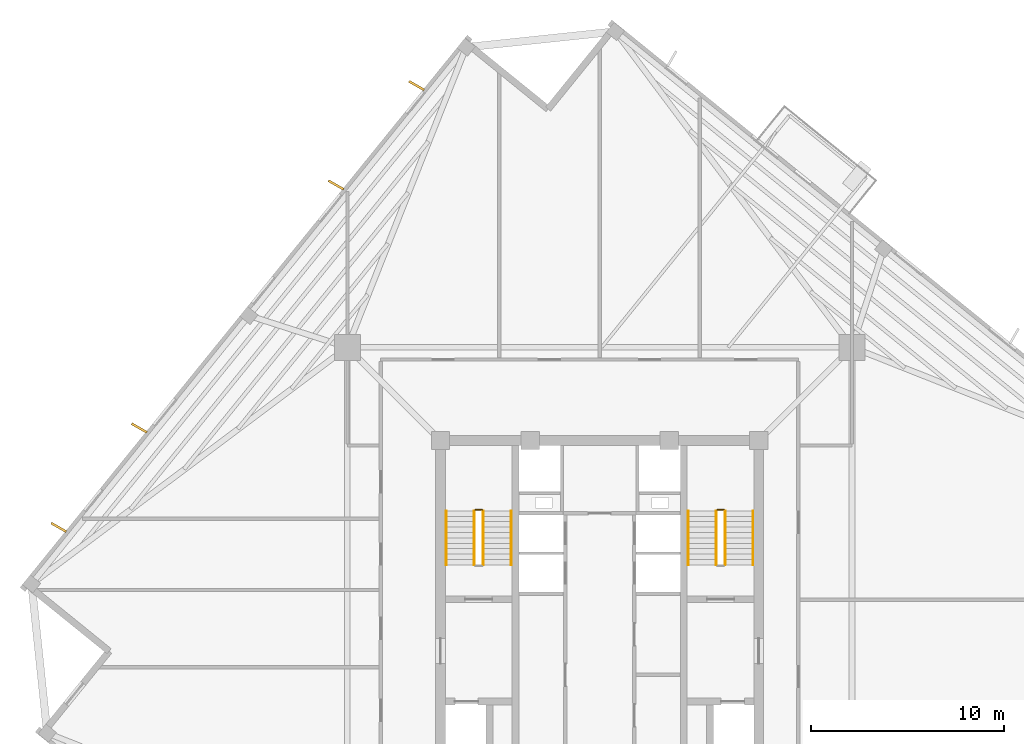
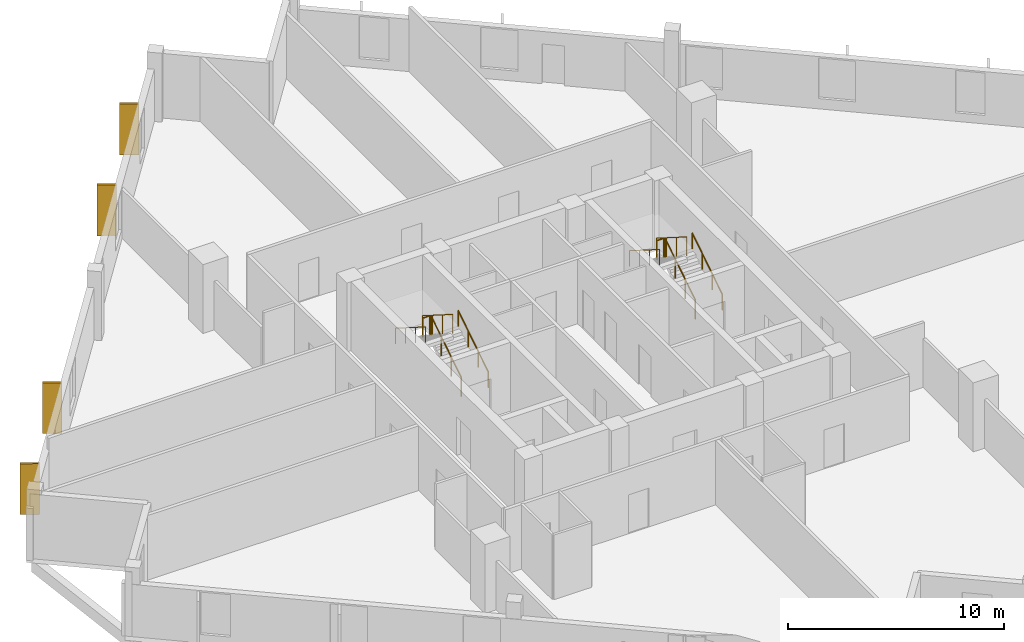
# One storey, part 9 of 10: 10 railings, 4 coverings.
"""IFC4 building model written with IfcOpenShell, lengths in metres."""

from ifc_helpers import new_model, si_unit, direction, frame, origin, origin_2d, place, context, subcontext, project, spatial, rectangle, circle, extrude, source, transform, mapped, material, layer, layer_set, type_object, element, save


model = new_model("IFC4")

# Units and contexts
model_context = context("Model", 3, precision=1e-05, world=origin(), true_north=direction((0.0, 1.0)))
body_context = subcontext(model_context, "Body", "Model", "MODEL_VIEW")
ifc_project = project(units=[si_unit("LENGTHUNIT", "METRE"), si_unit("AREAUNIT", "SQUARE_METRE"), si_unit("VOLUMEUNIT", "CUBIC_METRE"), si_unit("PLANEANGLEUNIT", "RADIAN"), si_unit("MASSUNIT", "GRAM", prefix="KILO"), si_unit("THERMODYNAMICTEMPERATUREUNIT", "KELVIN")], contexts=[model_context])

# Site, building, storey
site_placement = place(None, origin())
site = spatial("IfcSite", under=ifc_project, at=site_placement, CompositionType="ELEMENT")
building_placement = place(site_placement, origin())
building = spatial("IfcBuilding", under=site, at=building_placement, Name="Kosmvard Interchange Tower", CompositionType="ELEMENT")
storey_placement = place(building_placement, frame((0.0, 0.0, 252.39990234375)))
storey = spatial("IfcBuildingStorey", under=building, at=storey_placement, Name="L61", CompositionType="ELEMENT", Elevation=252.39990234375)

# Coverings
ifc_material_1 = material(Name="Architectural anodised aluminium", Category="aluminium")
ifc_layer = layer(ifc_material_1, 0.1201171875, Name="Architectural anodised aluminium")
ifc_layer_set = layer_set([ifc_layer], Name="Architectural anodised aluminium")
covering_type = type_object("IfcCoveringType", Name="Rotating Vertical Sun-Breaker Fin 900x120 Aluminium", PredefinedType="CLADDING", material=ifc_layer_set)
shared_shape_1 = source(origin(), body_context, "Body", "SweptSolid", [
    extrude(rectangle(XDim=0.89990234375, YDim=0.1201171875, at=origin_2d()), origin(), (0.0, 0.0, 1.0), 2.8798828125),
])
for number, where, z_axis, x_axis, name in (
    (1, (-9.494384765625, 26.650146484375, 0.0400390625), (0.0, 0.0, 1.0), (-0.868112195148, 0.496368025395, 0.0), "L61 Rotating Vertical Sun-Breaker Fin 09"),
    (2, (-13.66748046875, 21.49658203125, 0.0400390625), (0.0, 0.0, 1.0), (-0.868112195148, 0.496368025395, 0.0), "L61 Rotating Vertical Sun-Breaker Fin 10"),
    (3, (-23.86865234375, 8.8994140625, 0.0400390625), (0.0, 0.0, 1.0), (-0.868112195148, 0.496368025395, 0.0), "L61 Rotating Vertical Sun-Breaker Fin 11"),
    (4, (-28.041748046875, 3.74609375, 0.0400390625), (0.0, 0.0, 1.0), (-0.868112195148, 0.496368025395, 0.0), "L61 Rotating Vertical Sun-Breaker Fin 12"),
):
    element("IfcCovering", number, at=place(storey_placement, frame(where, z_axis=z_axis, x_axis=x_axis)), inside=storey, type_object=covering_type, Name=name, PredefinedType="CLADDING", context=body_context, shape_type="MappedRepresentation", body=[
        mapped(shared_shape_1, transform((0.0, 0.0, 0.0), scale=1.0)),
    ])

# Railings
ifc_material_2 = material(Name="Steel S355", Category="steel")
railing_type_1 = type_object("IfcRailingType", Name="Stair & Terrace Safety Guardrail 1100 Steel", PredefinedType="GUARDRAIL", material=ifc_material_2)
shared_shape_2 = source(origin(), body_context, "Body", "SweptSolid", [
    extrude(circle(Radius=0.02392578125, at=origin_2d()), frame((0.0, 0.0, 1.076171875), z_axis=(-1.0, 0.0, 0.0), x_axis=(0.0, -1.0, 0.0)), (0.0, 0.0, 1.0), 0.35986328125),
    extrude(circle(Radius=0.02099609375, at=origin_2d()), origin(), (0.0, 0.0, 1.0), 1.052001953125),
    extrude(circle(Radius=0.02099609375, at=origin_2d()), frame((-0.35986328125, 0.0, 0.0)), (0.0, 0.0, 1.0), 1.052001953125),
])
for number, where, name in (
    (5, (-6.090087890625, 4.64990234375, 1.9501953125), "L61 ST-1 stair guard 2"),
    (6, (6.449951171875, 4.64990234375, 1.9501953125), "L61 ST-2 stair guard 2"),
):
    element("IfcRailing", number, at=place(storey_placement, frame(where)), inside=storey, type_object=railing_type_1, Name=name, PredefinedType="GUARDRAIL", context=body_context, shape_type="MappedRepresentation", body=[
        mapped(shared_shape_2, transform((0.0, 0.0, 0.0), scale=1.0)),
    ])
shared_shape_3 = source(origin(), body_context, "Body", "SweptSolid", [
    extrude(circle(Radius=0.02392578125, at=origin_2d()), frame((0.0, 0.0, 1.076171875), z_axis=(0.0, 0.844908973607, 0.534910110503), x_axis=(-1.0, 0.0, 0.0)), (0.0, 0.0, 1.0), 3.31396484375),
    extrude(circle(Radius=0.02099609375, at=origin_2d()), origin(), (0.0, 0.0, 1.0), 1.052001953125),
    extrude(circle(Radius=0.02099609375, at=origin_2d()), frame((0.0, 0.933349609375, 0.5908203125)), (0.0, 0.0, 1.0), 1.052001953125),
    extrude(circle(Radius=0.02099609375, at=origin_2d()), frame((0.0, 1.86669921875, 1.181884765625)), (0.0, 0.0, 1.0), 1.052001953125),
    extrude(circle(Radius=0.02099609375, at=origin_2d()), frame((0.0, 2.800048828125, 1.772705078125)), (0.0, 0.0, 1.0), 1.052001953125),
])
for number, where, name in (
    (7, (-6.0400390625, 1.800048828125, 0.177490234375), "L61 ST-1 stair guard 1"),
    (8, (6.5, 1.800048828125, 0.177490234375), "L61 ST-2 stair guard 1"),
):
    element("IfcRailing", number, at=place(storey_placement, frame(where)), inside=storey, type_object=railing_type_1, Name=name, PredefinedType="GUARDRAIL", context=body_context, shape_type="MappedRepresentation", body=[
        mapped(shared_shape_3, transform((0.0, 0.0, 0.0), scale=1.0)),
    ])
shared_shape_4 = source(origin(), body_context, "Body", "SweptSolid", [
    extrude(circle(Radius=0.02392578125, at=origin_2d()), frame((0.0, 0.0, 1.076171875), z_axis=(0.0, -0.844908973607, 0.534910110503), x_axis=(1.0, 0.0, 0.0)), (0.0, 0.0, 1.0), 3.31396484375),
    extrude(circle(Radius=0.02099609375, at=origin_2d()), origin(), (0.0, 0.0, 1.0), 1.052001953125),
    extrude(circle(Radius=0.02099609375, at=origin_2d()), frame((0.0, -0.933349609375, 0.5908203125)), (0.0, 0.0, 1.0), 1.052001953125),
    extrude(circle(Radius=0.02099609375, at=origin_2d()), frame((0.0, -1.86669921875, 1.181884765625)), (0.0, 0.0, 1.0), 1.052001953125),
    extrude(circle(Radius=0.02099609375, at=origin_2d()), frame((0.0, -2.800048828125, 1.772705078125)), (0.0, 0.0, 1.0), 1.052001953125),
])
for number, where, name in (
    (9, (-6.5, 4.60009765625, 2.12744140625), "L61 ST-1 stair guard 3"),
    (10, (6.0400390625, 4.60009765625, 2.12744140625), "L61 ST-2 stair guard 3"),
):
    element("IfcRailing", number, at=place(storey_placement, frame(where)), inside=storey, type_object=railing_type_1, Name=name, PredefinedType="GUARDRAIL", context=body_context, shape_type="MappedRepresentation", body=[
        mapped(shared_shape_4, transform((0.0, 0.0, 0.0), scale=1.0)),
    ])
railing_type_2 = type_object("IfcRailingType", Name="Wall-Mounted Stair Handrail 900 Steel", PredefinedType="HANDRAIL", material=ifc_material_2)
shared_shape_5 = source(origin(), body_context, "Body", "SweptSolid", [
    extrude(circle(Radius=0.02392578125, at=origin_2d()), frame((0.0, 0.0, 0.8759765625), z_axis=(0.0, 0.844908973607, 0.534910110503), x_axis=(-1.0, 0.0, 0.0)), (0.0, 0.0, 1.0), 3.31396484375),
    extrude(circle(Radius=0.02099609375, at=origin_2d()), origin(), (0.0, 0.0, 1.0), 0.851806640625),
    extrude(circle(Radius=0.02099609375, at=origin_2d()), frame((0.0, 0.933349609375, 0.5908203125)), (0.0, 0.0, 1.0), 0.851806640625),
    extrude(circle(Radius=0.02099609375, at=origin_2d()), frame((0.0, 1.86669921875, 1.181884765625)), (0.0, 0.0, 1.0), 0.851806640625),
    extrude(circle(Radius=0.02099609375, at=origin_2d()), frame((0.0, 2.800048828125, 1.772705078125)), (0.0, 0.0, 1.0), 0.851806640625),
])
for number, where, name in (
    (11, (-4.590087890625, 1.800048828125, 0.177490234375), "L61 ST-1 stair handrail 1"),
    (12, (7.949951171875, 1.800048828125, 0.177490234375), "L61 ST-2 stair handrail 1"),
):
    element("IfcRailing", number, at=place(storey_placement, frame(where)), inside=storey, type_object=railing_type_2, Name=name, PredefinedType="HANDRAIL", context=body_context, shape_type="MappedRepresentation", body=[
        mapped(shared_shape_5, transform((0.0, 0.0, 0.0), scale=1.0)),
    ])
shared_shape_6 = source(origin(), body_context, "Body", "SweptSolid", [
    extrude(circle(Radius=0.02392578125, at=origin_2d()), frame((0.0, 0.0, 0.8759765625), z_axis=(0.0, -0.844908973607, 0.534910110503), x_axis=(1.0, 0.0, 0.0)), (0.0, 0.0, 1.0), 3.31396484375),
    extrude(circle(Radius=0.02099609375, at=origin_2d()), origin(), (0.0, 0.0, 1.0), 0.851806640625),
    extrude(circle(Radius=0.02099609375, at=origin_2d()), frame((0.0, -0.933349609375, 0.5908203125)), (0.0, 0.0, 1.0), 0.851806640625),
    extrude(circle(Radius=0.02099609375, at=origin_2d()), frame((0.0, -1.86669921875, 1.181884765625)), (0.0, 0.0, 1.0), 0.851806640625),
    extrude(circle(Radius=0.02099609375, at=origin_2d()), frame((0.0, -2.800048828125, 1.772705078125)), (0.0, 0.0, 1.0), 0.851806640625),
])
for number, where, name in (
    (13, (-7.949951171875, 4.60009765625, 2.12744140625), "L61 ST-1 stair handrail 2"),
    (14, (4.590087890625, 4.60009765625, 2.12744140625), "L61 ST-2 stair handrail 2"),
):
    element("IfcRailing", number, at=place(storey_placement, frame(where)), inside=storey, type_object=railing_type_2, Name=name, PredefinedType="HANDRAIL", context=body_context, shape_type="MappedRepresentation", body=[
        mapped(shared_shape_6, transform((0.0, 0.0, 0.0), scale=1.0)),
    ])

save(model, "model.ifc")
